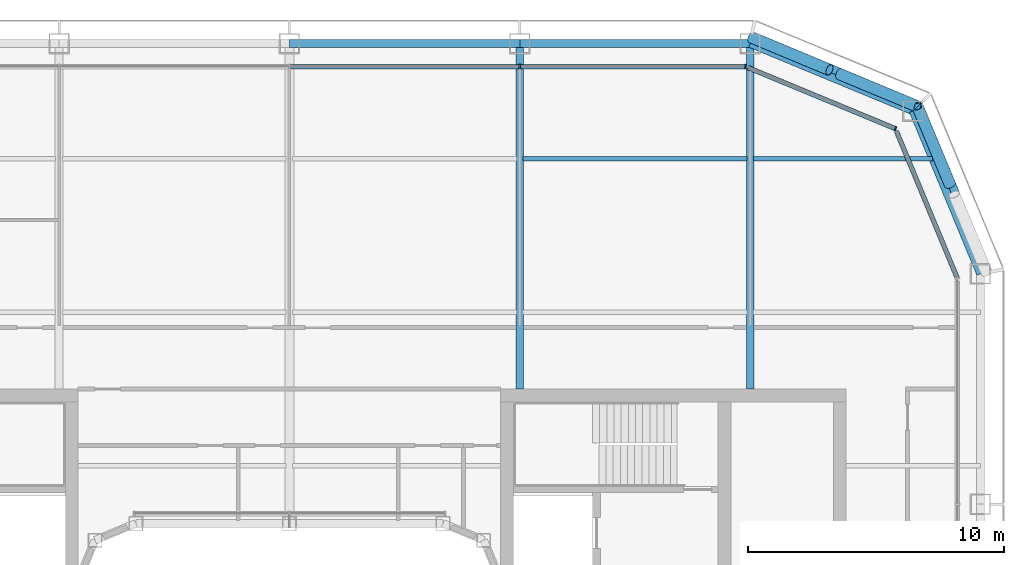
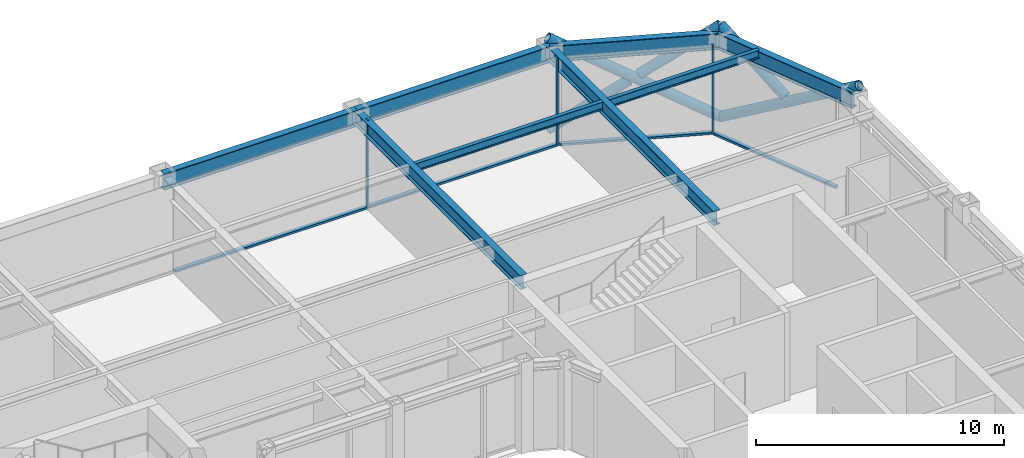
# One storey, part 10 of 19: 12 members, 8 beams, 3 elements without a shape of their own.
"""IFC4 building model written with IfcOpenShell, lengths in metres."""

import ifcopenshell
import ifcopenshell.guid

model = None  # the IFC model being written
_history = None  # IfcOwnerHistory: only IFC2X3 demands one
_inside = {}  # id of a spatial element -> (the spatial element, [elements in it])
_under = {}  # id of a project, library or spatial element -> (it, [spatial elements below it])
_declared = {}  # id of a project -> (the project, [libraries it declares])
_typed = {}  # id of a type object -> (the type object, [elements of that type])
_made_of = {}  # id of a material, layer set ... -> (it, [elements and type objects made of it])


def new_model(schema):
    """Start an empty IFC model of exactly this schema.

    Asked for "IFC4X3", IfcOpenShell would pick the latest addendum, in which some entities
    have other attributes; the version numbers below select the first issue.
    IFC2X3 requires an IfcOwnerHistory on every rooted entity: one is made here for all.
    """
    global model, _history
    if schema == "IFC4X3":
        model = ifcopenshell.file(schema_version=(4, 3, 0, 0))
    else:
        model = ifcopenshell.file(schema=schema)
    _inside.clear()
    _under.clear()
    _declared.clear()
    _typed.clear()
    _made_of.clear()
    _history = None
    if model.schema == "IFC2X3":
        org = make("IfcOrganization", Name="unknown")
        user = make(
            "IfcPersonAndOrganization",
            ThePerson=make("IfcPerson", FamilyName="unknown"),
            TheOrganization=org,
        )
        app = make(
            "IfcApplication",
            ApplicationDeveloper=org,
            Version="unknown",
            ApplicationFullName="unknown",
            ApplicationIdentifier="unknown",
        )
        _history = make(
            "IfcOwnerHistory",
            OwningUser=user,
            OwningApplication=app,
            ChangeAction="ADDED",
            CreationDate=0,
        )
    return model


def make(cls, **values):
    """One entity of the class cls with the attributes given. An attribute that is None is left unset."""
    return model.create_entity(
        cls, **{name: value for name, value in values.items() if value is not None}
    )


def rooted(cls, **values):
    """An entity with a GlobalId (a new one), such as an element, a storey or a relation."""
    return make(cls, GlobalId=ifcopenshell.guid.new(), OwnerHistory=_history, **values)


def si_unit(unit_type, name, prefix=None):
    """IfcSIUnit, for example si_unit("LENGTHUNIT", "METRE", prefix="MILLI")."""
    return make("IfcSIUnit", UnitType=unit_type, Prefix=prefix, Name=name)


def assignment(units):
    """IfcUnitAssignment: the units of a project."""
    return None if units is None else make("IfcUnitAssignment", Units=units)


def point(xyz):
    """IfcCartesianPoint."""
    return None if xyz is None else make("IfcCartesianPoint", Coordinates=xyz)


def direction(xyz):
    """IfcDirection."""
    return None if xyz is None else make("IfcDirection", DirectionRatios=xyz)


def frame(location, z_axis=None, x_axis=None):
    """IfcAxis2Placement3D, a coordinate frame: its origin and axes. An axis left out is left unset."""
    return make(
        "IfcAxis2Placement3D",
        Location=point(location),
        Axis=direction(z_axis),
        RefDirection=direction(x_axis),
    )


def frame_2d(location, x_axis=None):
    """IfcAxis2Placement2D, a coordinate frame in the plane: its origin and x axis."""
    return make(
        "IfcAxis2Placement2D", Location=point(location), RefDirection=direction(x_axis)
    )


def origin():
    """The frame at (0, 0, 0) with its axes left unset."""
    return frame((0.0, 0.0, 0.0))


def origin_2d():
    """The frame at (0, 0) in the plane with its x axis left unset."""
    return frame_2d((0.0, 0.0))


def place(relative_to, where):
    """IfcLocalPlacement: puts the frame where relative to a parent placement (None: the world)."""
    return make(
        "IfcLocalPlacement", PlacementRelTo=relative_to, RelativePlacement=where
    )


def context(
    kind, dimensions, precision=None, world=None, true_north=None, identifier=None
):
    """IfcGeometricRepresentationContext, for example the 3D "Model" context."""
    return make(
        "IfcGeometricRepresentationContext",
        ContextIdentifier=identifier,
        ContextType=kind,
        CoordinateSpaceDimension=dimensions,
        Precision=precision,
        WorldCoordinateSystem=world,
        TrueNorth=true_north,
    )


def subcontext(parent, identifier, kind, view, scale=None):
    """IfcGeometricRepresentationSubContext, for example "Body" below "Model"."""
    return make(
        "IfcGeometricRepresentationSubContext",
        ContextIdentifier=identifier,
        ContextType=kind,
        ParentContext=parent,
        TargetScale=scale,
        TargetView=view,
    )


def project(units=None, contexts=None):
    """IfcProject with its units and contexts."""
    return rooted(
        "IfcProject",
        Name="project",
        RepresentationContexts=contexts,
        UnitsInContext=assignment(units),
    )


def spatial(cls, under=None, at=None, **own):
    """A site, building, storey or space (cls), placed at a placement, below another one or the project."""
    s = rooted(cls, ObjectPlacement=at, **own)
    if under is not None:
        _under.setdefault(under.id(), (under, []))[1].append(s)
    return s


def profile(cls, at=None, kind="AREA", **sizes):
    """A parametric profile (cls). Its sizes go by their IFC names, for example OverallWidth=200.0."""
    return make(cls, ProfileType=kind, Position=at, **sizes)


def rectangle(**sizes):
    """IfcRectangleProfileDef."""
    return profile("IfcRectangleProfileDef", **sizes)


def hollow_circle(**sizes):
    """IfcCircleHollowProfileDef."""
    return profile("IfcCircleHollowProfileDef", **sizes)


def i_section(**sizes):
    """IfcIShapeProfileDef."""
    return profile("IfcIShapeProfileDef", **sizes)


def extrude(swept, where, along, depth):
    """IfcExtrudedAreaSolid: the profile swept, set in the frame where, extruded along a direction by depth."""
    return make(
        "IfcExtrudedAreaSolid",
        SweptArea=swept,
        Position=where,
        ExtrudedDirection=direction(along),
        Depth=depth,
    )


def shape(context_of_items, identifier, shape_type, items):
    """IfcShapeRepresentation: the items that make up one representation, for example the "Body"."""
    return make(
        "IfcShapeRepresentation",
        ContextOfItems=context_of_items,
        RepresentationIdentifier=identifier,
        RepresentationType=shape_type,
        Items=items,
    )


def material(Name=None, Category=None):
    """IfcMaterial."""
    return make("IfcMaterial", Name=Name, Category=Category)


def layer(
    of_material, thickness, ventilated=None, Name=None, Category=None, Priority=None
):
    """IfcMaterialLayer: one layer of a wall or slab, of a material (None: an air gap)."""
    return make(
        "IfcMaterialLayer",
        Material=of_material,
        LayerThickness=thickness,
        IsVentilated=ventilated,
        Name=Name,
        Category=Category,
        Priority=Priority,
    )


def layer_set(layers, Name=None):
    """IfcMaterialLayerSet."""
    return make("IfcMaterialLayerSet", MaterialLayers=layers, LayerSetName=Name)


def material_profile(
    of_material, cross_section, Name=None, Category=None, Priority=None
):
    """IfcMaterialProfile: a cross section and its material."""
    return make(
        "IfcMaterialProfile",
        Name=Name,
        Material=of_material,
        Profile=cross_section,
        Priority=Priority,
        Category=Category,
    )


def profile_set(profiles, Name=None, composite=None):
    """IfcMaterialProfileSet."""
    return make(
        "IfcMaterialProfileSet",
        Name=Name,
        MaterialProfiles=profiles,
        CompositeProfile=composite,
    )


def made_of(thing, what):
    """Note that an element or type object is made of a material, layer set ...; save() writes the relation."""
    if what is not None:
        _made_of.setdefault(what.id(), (what, []))[1].append(thing)
    return thing


def type_object(cls, material=None, **own):
    """A type object (cls), such as IfcWallType, which elements share."""
    return made_of(rooted(cls, **own), material)


def element(
    cls,
    number,
    at=None,
    inside=None,
    cuts=None,
    type_object=None,
    material=None,
    context=None,
    identifier="Body",
    shape_type=None,
    held_by="IfcProductDefinitionShape",
    body=None,
    shapes=None,
    **own,
):
    """One element of the class cls, such as IfcWall. Its Tag is "e" and its number.

    at: its placement. inside: the storey or other place that contains it. cuts: it is an
    opening in that element (IfcRelVoidsElement). A single representation is given by context,
    identifier, shape_type and body (its items); several are given by shapes. held_by: the class
    of the entity that holds the representations. save() writes the other relations.
    """
    e = rooted(cls, Tag="e%d" % number, ObjectPlacement=at, **own)
    if body is not None:
        shapes = [shape(context, identifier, shape_type, body)]
    if shapes is not None:
        e.Representation = make(held_by, Representations=shapes)
    if inside is not None:
        _inside.setdefault(inside.id(), (inside, []))[1].append(e)
    if cuts is not None:
        rooted(
            "IfcRelVoidsElement", RelatingBuildingElement=cuts, RelatedOpeningElement=e
        )
    if type_object is not None:
        _typed.setdefault(type_object.id(), (type_object, []))[1].append(e)
    return made_of(e, material)


def aggregate(whole, parts):
    """IfcRelAggregates: a whole, such as a stair, and the parts it consists of."""
    return rooted("IfcRelAggregates", RelatingObject=whole, RelatedObjects=parts)


def save(model, path):
    """Write the relations noted so far, then the file.

    IfcRelAggregates (storeys below a building ...), IfcRelContainedInSpatialStructure (elements
    in a storey), IfcRelDefinesByType, IfcRelAssociatesMaterial and IfcRelDeclares: one each for
    every whole, place, type object, material and project.
    """
    for whole, parts in _under.values():
        aggregate(whole, parts)
    for where, things in _inside.values():
        rooted(
            "IfcRelContainedInSpatialStructure",
            RelatedElements=things,
            RelatingStructure=where,
        )
    for kind, things in _typed.values():
        rooted("IfcRelDefinesByType", RelatedObjects=things, RelatingType=kind)
    for what, things in _made_of.values():
        rooted("IfcRelAssociatesMaterial", RelatedObjects=things, RelatingMaterial=what)
    for by, libraries in _declared.values():
        rooted("IfcRelDeclares", RelatingContext=by, RelatedDefinitions=libraries)
    model.write(path)


model = new_model("IFC4")

# Units and contexts
model_context = context("Model", 3, precision=1e-05, world=origin(), true_north=direction((0.0, 1.0)))
body_context = subcontext(model_context, "Body", "Model", "MODEL_VIEW")
ifc_project = project(units=[si_unit("LENGTHUNIT", "METRE"), si_unit("AREAUNIT", "SQUARE_METRE"), si_unit("VOLUMEUNIT", "CUBIC_METRE"), si_unit("PLANEANGLEUNIT", "RADIAN"), si_unit("MASSUNIT", "GRAM", prefix="KILO")], contexts=[model_context])

# Site, building, storey
site_placement = place(None, origin())
site = spatial("IfcSite", under=ifc_project, at=site_placement, CompositionType="ELEMENT")
building_placement = place(site_placement, origin())
building = spatial("IfcBuilding", under=site, at=building_placement, Name="Siwar Civic Tower", CompositionType="ELEMENT")
storey_placement = place(building_placement, frame((0.0, 0.0, 246.699951171875)))
storey = spatial("IfcBuildingStorey", under=building, at=storey_placement, Name="L53", CompositionType="ELEMENT", Elevation=246.699951171875)

# Curtain wall, member
ifc_material_1 = material(Name="Aluminium clad insulated panel", Category="aluminium")
ifc_layer_1 = layer(ifc_material_1, 0.179931640625)
ifc_layer_set_1 = layer_set([ifc_layer_1], Name="Aluminium clad insulated panel")
curtain_wall_type_1 = type_object("IfcCurtainWallType", Name="ENV-CW-CX", PredefinedType="NOTDEFINED", material=ifc_layer_set_1)
curtain_wall_1_placement = place(storey_placement, origin())
curtain_wall_1 = element("IfcCurtainWall", 1, at=curtain_wall_1_placement, inside=storey, type_object=curtain_wall_type_1, Name="Curtain wall C NE2", PredefinedType="NOTDEFINED")
ifc_material_2 = material(Name="Aluminium 6063-T6", Category="aluminium")
ifc_material_profile_1 = material_profile(ifc_material_2, rectangle(XDim=0.179931640625, YDim=0.06005859375, at=origin_2d()), Name="AL 180x60")
ifc_profile_set_1 = profile_set([ifc_material_profile_1], Name="Aluminium 6063-T6")
member_type_1 = type_object("IfcMemberType", Name="ENV-MULLION-C", PredefinedType="MULLION", material=ifc_profile_set_1)
member_1_placement = place(storey_placement, frame((23.675048828125, 23.675048828125, 0.0), z_axis=(0.0, 0.0, 1.0), x_axis=(-0.382683432365, -0.923879532511, 0.0)))
member_1 = element("IfcMember", 2, at=member_1_placement, type_object=member_type_1, Name="Mullion C NE2 1", PredefinedType="MULLION", context=body_context, shape_type="SweptSolid", body=[
    extrude(rectangle(XDim=0.179931640625, YDim=0.06005859375, at=origin_2d()), origin(), (0.0, 0.0, 1.0), 4.35009765625),
])

# Curtain wall, members
ifc_material_3 = material(Name="Aluminium and glass", Category="aluminium")
ifc_layer_2 = layer(ifc_material_3, 0.179931640625)
ifc_layer_set_2 = layer_set([ifc_layer_2], Name="Aluminium and glass")
curtain_wall_type_2 = type_object("IfcCurtainWallType", Name="ENV-CW-C", PredefinedType="NOTDEFINED", material=ifc_layer_set_2)
curtain_wall_2_placement = place(storey_placement, origin())
curtain_wall_2 = element("IfcCurtainWall", 3, at=curtain_wall_2_placement, inside=storey, type_object=curtain_wall_type_2, Name="Curtain wall C N", PredefinedType="NOTDEFINED")
member_2_placement = place(storey_placement, frame((17.821044921875, 26.10009765625, 0.0), z_axis=(0.0, 0.0, 1.0), x_axis=(0.0, -1.0, 0.0)))
member_2 = element("IfcMember", 4, at=member_2_placement, type_object=member_type_1, Name="Mullion C N 1", PredefinedType="MULLION", context=body_context, shape_type="SweptSolid", body=[
    extrude(rectangle(XDim=0.179931640625, YDim=0.06005859375, at=origin_2d()), origin(), (0.0, 0.0, 1.0), 4.35009765625),
])
member_3_placement = place(storey_placement, frame((9.0, 26.10009765625, 0.0), z_axis=(0.0, 0.0, 1.0), x_axis=(0.0, -1.0, 0.0)))
member_3 = element("IfcMember", 5, at=member_3_placement, type_object=member_type_1, Name="Mullion C N 2", PredefinedType="MULLION", context=body_context, shape_type="SweptSolid", body=[
    extrude(rectangle(XDim=0.179931640625, YDim=0.06005859375, at=origin_2d()), origin(), (0.0, 0.0, 1.0), 4.35009765625),
])

# Curtain wall, member
curtain_wall_3_placement = place(storey_placement, origin())
curtain_wall_3 = element("IfcCurtainWall", 6, at=curtain_wall_3_placement, inside=storey, type_object=curtain_wall_type_1, Name="Curtain wall C NE1", PredefinedType="NOTDEFINED")
ifc_material_4 = material(Name="Aluminium 6063-T6", Category="aluminium")
ifc_material_profile_2 = material_profile(ifc_material_4, rectangle(XDim=0.179931640625, YDim=0.10009765625, at=origin_2d()), Name="AL 180x100")
ifc_profile_set_2 = profile_set([ifc_material_profile_2], Name="Aluminium 6063-T6")
member_type_2 = type_object("IfcMemberType", Name="ENV-TRANSOM-C", PredefinedType="USERDEFINED", material=ifc_profile_set_2)
member_4_placement = place(storey_placement, frame((26.088623046875, 17.8486328125, 0.050048828125), z_axis=(-0.38267744817, 0.923882011223, 0.0), x_axis=(-0.923882011223, -0.38267744817, 0.0)))
member_4 = element("IfcMember", 7, at=member_4_placement, type_object=member_type_2, Name="Transom C NE1 1", ObjectType="TRANSOM", PredefinedType="USERDEFINED", context=body_context, shape_type="SweptSolid", body=[
    extrude(rectangle(XDim=0.179931640625, YDim=0.10009765625, at=origin_2d()), origin(), (0.0, 0.0, 1.0), 6.201904296875),
])
aggregate(curtain_wall_3, [member_4])

# Member
member_5_placement = place(storey_placement, frame((23.6474609375, 23.6865234375, 0.050048828125), z_axis=(-0.923876246063, 0.382691366456, 0.0), x_axis=(-0.382691366456, -0.923876246063, 0.0)))
member_5 = element("IfcMember", 8, at=member_5_placement, type_object=member_type_2, Name="Transom C NE2 1", ObjectType="TRANSOM", PredefinedType="USERDEFINED", context=body_context, shape_type="SweptSolid", body=[
    extrude(rectangle(XDim=0.179931640625, YDim=0.10009765625, at=origin_2d()), origin(), (0.0, 0.0, 1.0), 6.20166015625),
])

aggregate(curtain_wall_1, [member_1, member_5])

member_6_placement = place(storey_placement, frame((17.791015625, 26.10009765625, 0.050048828125), z_axis=(-1.0, 0.0, 0.0), x_axis=(0.0, -1.0, 0.0)))
member_6 = element("IfcMember", 9, at=member_6_placement, type_object=member_type_2, Name="Transom C N 1", ObjectType="TRANSOM", PredefinedType="USERDEFINED", context=body_context, shape_type="SweptSolid", body=[
    extrude(rectangle(XDim=0.179931640625, YDim=0.10009765625, at=origin_2d()), origin(), (0.0, 0.0, 1.0), 8.760986328125),
])

member_7_placement = place(storey_placement, frame((8.969970703125, 26.10009765625, 0.050048828125), z_axis=(-1.0, 0.0, 0.0), x_axis=(0.0, -1.0, 0.0)))
member_7 = element("IfcMember", 10, at=member_7_placement, type_object=member_type_2, Name="Transom C N 2", ObjectType="TRANSOM", PredefinedType="USERDEFINED", context=body_context, shape_type="SweptSolid", body=[
    extrude(rectangle(XDim=0.179931640625, YDim=0.10009765625, at=origin_2d()), origin(), (0.0, 0.0, 1.0), 8.93994140625),
])

aggregate(curtain_wall_2, [member_2, member_3, member_6, member_7])

# Members
ifc_material_5 = material(Name="Steel S355", Category="steel")
ifc_material_profile_3 = material_profile(ifc_material_5, hollow_circle(Radius=0.228515625, WallThickness=0.02001953125, at=origin_2d()), Name="CHS457x20")
ifc_profile_set_3 = profile_set([ifc_material_profile_3], Name="Steel S355")
member_type_3 = type_object("IfcMemberType", Name="STR-BR-CHS457x20", PredefinedType="BRACE", material=ifc_profile_set_3)
member_8_placement = place(storey_placement, frame((24.540771484375, 24.540771484375, 0.0), z_axis=(-0.777554562952, 0.323905527954, 0.538975055633), x_axis=(-0.384538969033, -0.923108759191, 0.0)))
element("IfcMember", 11, at=member_8_placement, inside=storey, type_object=member_type_3, Name="L53/brc/CNE1-13-0-1", PredefinedType="BRACE", context=body_context, shape_type="SweptSolid", body=[
    extrude(hollow_circle(Radius=0.228515625, WallThickness=0.02001953125, at=origin_2d()), origin(), (0.0, 0.0, 1.0), 8.34912109375),
])
for number, where, z_axis, x_axis, name in (
    (12, (18.048828125, 27.2451171875, 0.0), (0.777546448489, -0.323884455881, 0.538999424564), (0.38452107079, 0.92311621485, 0.0), "L53/brc/CNE1-13-0-2"),
    (13, (21.486572265625, 25.81298828125, 2.383056640625), (0.777572496853, -0.323895306243, 0.538955325357), (0.38452107079, 0.92311621485, 0.0), "L53/brc/CNE1-13-0-3"),
):
    element("IfcMember", number, at=place(storey_placement, frame(where, z_axis=z_axis, x_axis=x_axis)), inside=storey, type_object=member_type_3, Name=name, PredefinedType="BRACE", context=body_context, shape_type="SweptSolid", body=[
        extrude(hollow_circle(Radius=0.228515625, WallThickness=0.02001953125, at=origin_2d()), origin(), (0.0, 0.0, 1.0), 3.927978515625),
    ])
member_9_placement = place(storey_placement, frame((24.540771484375, 24.540771484375, 0.0), z_axis=(0.323905527954, -0.777554562952, 0.538975055633), x_axis=(0.923108759191, 0.384538969033, 0.0)))
element("IfcMember", 14, at=member_9_placement, inside=storey, type_object=member_type_3, Name="L53/brc/CNE1-13-0-0", PredefinedType="BRACE", context=body_context, shape_type="SweptSolid", body=[
    extrude(hollow_circle(Radius=0.228515625, WallThickness=0.02001953125, at=origin_2d()), origin(), (0.0, 0.0, 1.0), 8.34912109375),
])
member_10_placement = place(storey_placement, frame((25.81298828125, 21.486572265625, 2.383056640625), z_axis=(-0.323895306243, 0.777572496853, 0.538955325357), x_axis=(-0.92311621485, -0.38452107079, 0.0)))
element("IfcMember", 15, at=member_10_placement, inside=storey, type_object=member_type_3, Name="L53/brc/CNE1-13-0-5", PredefinedType="BRACE", context=body_context, shape_type="SweptSolid", body=[
    extrude(hollow_circle(Radius=0.228515625, WallThickness=0.02001953125, at=origin_2d()), origin(), (0.0, 0.0, 1.0), 3.927978515625),
])

# Beams
ifc_material_6 = material(Name="Steel S355", Category="steel")
ifc_material_profile_4 = material_profile(ifc_material_6, i_section(OverallWidth=0.179931640625, OverallDepth=0.39990234375, WebThickness=0.008544921875, FlangeThickness=0.013427734375, FilletRadius=0.02099609375, at=origin_2d()), Name="IPE400")
ifc_profile_set_4 = profile_set([ifc_material_profile_4], Name="Steel S355")
beam_type_1 = type_object("IfcBeamType", Name="STR-FB-IPE400", PredefinedType="JOIST", material=ifc_profile_set_4)
beam_1_placement = place(storey_placement, frame((9.1298828125, 22.5, 4.150146484375), z_axis=(1.0, 0.0, 0.0), x_axis=(0.0, 1.0, 0.0)))
element("IfcBeam", 16, at=beam_1_placement, inside=storey, type_object=beam_type_1, Name="L53/bm/F041", PredefinedType="JOIST", context=body_context, shape_type="SweptSolid", body=[
    extrude(i_section(OverallWidth=0.179931640625, OverallDepth=0.39990234375, WebThickness=0.008544921875, FlangeThickness=0.013427734375, FilletRadius=0.02099609375, at=origin_2d()), origin(), (0.0, 0.0, 1.0), 8.740234375),
])
beam_2_placement = place(storey_placement, frame((18.1298828125, 22.5, 4.150146484375), z_axis=(1.0, 0.0, 0.0), x_axis=(0.0, 1.0, 0.0)))
element("IfcBeam", 17, at=beam_2_placement, inside=storey, type_object=beam_type_1, Name="L53/bm/F042", PredefinedType="JOIST", context=body_context, shape_type="SweptSolid", body=[
    extrude(i_section(OverallWidth=0.179931640625, OverallDepth=0.39990234375, WebThickness=0.008544921875, FlangeThickness=0.013427734375, FilletRadius=0.02099609375, at=origin_2d()), origin(), (0.0, 0.0, 1.0), 7.006103515625),
])
ifc_material_7 = material(Name="Steel S355", Category="steel")
ifc_material_profile_5 = material_profile(ifc_material_7, i_section(OverallWidth=0.300048828125, OverallDepth=0.699951171875, WebThickness=0.01708984375, FlangeThickness=0.031982421875, FilletRadius=0.027099609375, at=origin_2d()), Name="HEB700")
ifc_profile_set_5 = profile_set([ifc_material_profile_5], Name="Steel S355")
beam_type_2 = type_object("IfcBeamType", Name="STR-PG-HEB700", PredefinedType="BEAM", material=ifc_profile_set_5)
for number, where, z_axis, x_axis, name in (
    (18, (9.0, 13.5, 4.0), (0.0, 1.0, 0.0), (-1.0, 0.0, 0.0), "L53/bm/G08"),
    (19, (18.0, 13.5, 4.0), (0.0, 1.0, 0.0), (-1.0, 0.0, 0.0), "L53/bm/G10"),
):
    element("IfcBeam", number, at=place(storey_placement, frame(where, z_axis=z_axis, x_axis=x_axis)), inside=storey, type_object=beam_type_2, Name=name, PredefinedType="BEAM", context=body_context, shape_type="SweptSolid", body=[
        extrude(i_section(OverallWidth=0.300048828125, OverallDepth=0.699951171875, WebThickness=0.01708984375, FlangeThickness=0.031982421875, FilletRadius=0.027099609375, at=origin_2d()), origin(), (0.0, 0.0, 1.0), 13.5),
    ])
ifc_material_8 = material(Name="Steel S355", Category="steel")
ifc_material_profile_6 = material_profile(ifc_material_8, i_section(OverallWidth=0.300048828125, OverallDepth=0.800048828125, WebThickness=0.017578125, FlangeThickness=0.032958984375, FilletRadius=0.030029296875, at=origin_2d()), Name="HEB800")
ifc_profile_set_6 = profile_set([ifc_material_profile_6], Name="Steel S355")
beam_type_3 = type_object("IfcBeamType", Name="STR-SB-HEB800", PredefinedType="BEAM", material=ifc_profile_set_6)
for number, where, z_axis, x_axis, name in (
    (20, (27.0, 18.0, 3.949951171875), (-0.382674207535, 0.923883353507, 0.0), (-0.923883353507, -0.382674207535, 0.0), "L53/bm/SNE1-0"),
    (21, (24.364013671875, 24.364013671875, 3.949951171875), (-0.923883353507, 0.382674207535, 0.0), (-0.382674207535, -0.923883353507, 0.0), "L53/bm/SNE2-0"),
):
    element("IfcBeam", number, at=place(storey_placement, frame(where, z_axis=z_axis, x_axis=x_axis)), inside=storey, type_object=beam_type_3, Name=name, PredefinedType="BEAM", context=body_context, shape_type="SweptSolid", body=[
        extrude(i_section(OverallWidth=0.300048828125, OverallDepth=0.800048828125, WebThickness=0.017578125, FlangeThickness=0.032958984375, FilletRadius=0.030029296875, at=origin_2d()), origin(), (0.0, 0.0, 1.0), 6.888427734375),
    ])
for number, where, z_axis, x_axis, name in (
    (22, (18.0, 27.0, 3.949951171875), (-1.0, 0.0, 0.0), (0.0, -1.0, 0.0), "L53/bm/SN-0"),
    (23, (9.0, 27.0, 3.949951171875), (-1.0, 0.0, 0.0), (0.0, -1.0, 0.0), "L53/bm/SN-1"),
):
    element("IfcBeam", number, at=place(storey_placement, frame(where, z_axis=z_axis, x_axis=x_axis)), inside=storey, type_object=beam_type_3, Name=name, PredefinedType="BEAM", context=body_context, shape_type="SweptSolid", body=[
        extrude(i_section(OverallWidth=0.300048828125, OverallDepth=0.800048828125, WebThickness=0.017578125, FlangeThickness=0.032958984375, FilletRadius=0.030029296875, at=origin_2d()), origin(), (0.0, 0.0, 1.0), 9.0),
    ])

save(model, "model.ifc")
